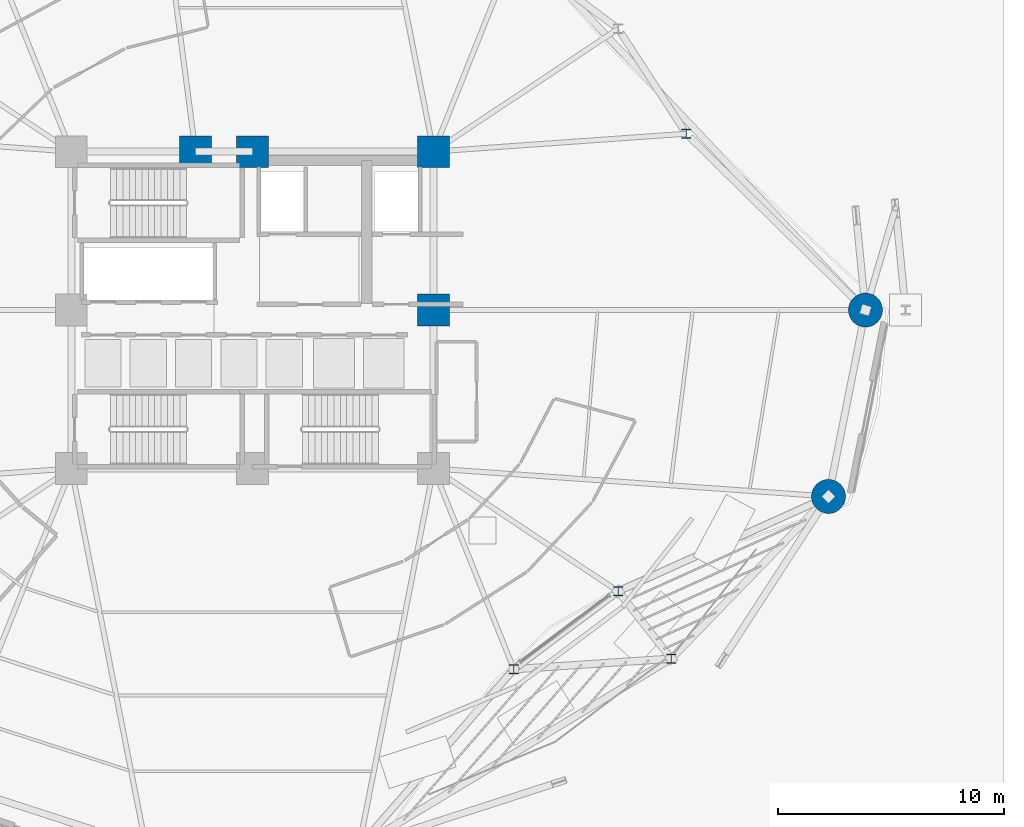
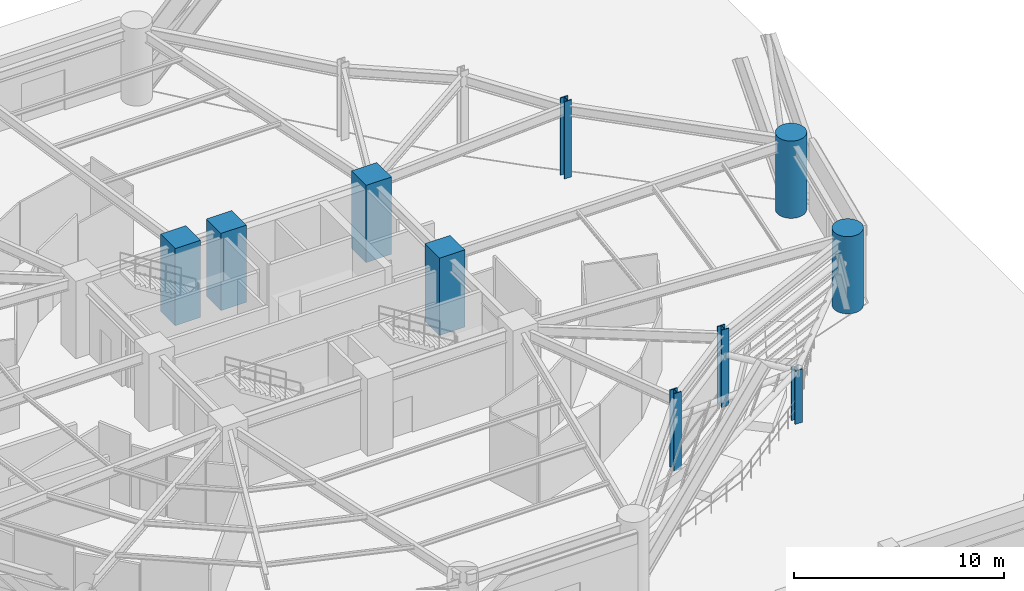
# One storey, part 2 of 40: 10 columns.
"""IFC4 building model written with IfcOpenShell, lengths in metres."""

from ifc_helpers import new_model, si_unit, direction, frame, origin, origin_2d, place, context, subcontext, project, spatial, rectangle, circle, i_section, extrude, material, material_profile, profile_set, type_object, element, save


model = new_model("IFC4")

# Units and contexts
model_context = context("Model", 3, precision=1e-05, world=origin(), true_north=direction((0.0, 1.0)))
body_context = subcontext(model_context, "Body", "Model", "MODEL_VIEW")
ifc_project = project(units=[si_unit("LENGTHUNIT", "METRE"), si_unit("AREAUNIT", "SQUARE_METRE"), si_unit("VOLUMEUNIT", "CUBIC_METRE"), si_unit("PLANEANGLEUNIT", "RADIAN"), si_unit("MASSUNIT", "GRAM", prefix="KILO")], contexts=[model_context])

# Site, building, storey
site_placement = place(None, origin())
site = spatial("IfcSite", under=ifc_project, at=site_placement, CompositionType="ELEMENT")
building_placement = place(site_placement, origin())
building = spatial("IfcBuilding", under=site, at=building_placement, Name="Kelanora Arch Commons", CompositionType="ELEMENT")
storey_placement = place(building_placement, origin())
storey = spatial("IfcBuildingStorey", under=building, at=storey_placement, Name="L00", CompositionType="ELEMENT", Elevation=0.0)

# Columns
ifc_material_1 = material(Name="Concrete C60/75", Category="concrete")
ifc_material_profile_1 = material_profile(ifc_material_1, circle(Radius=0.75, at=origin_2d()), Name="RCC1500")
ifc_profile_set_1 = profile_set([ifc_material_profile_1], Name="Concrete C60/75")
column_type_1 = type_object("IfcColumnType", Name="COL-PERIM-Z1", PredefinedType="COLUMN", material=ifc_profile_set_1)
for number, where, z_axis, x_axis, name in (
    (1, (101.080078125, 58.0, 0.0), (0.0, 0.0, 1.0), (1.0, 0.0, 0.0), "Perimeter Ring Column CP-00 L00"),
    (2, (99.447021484375, 49.76416015625, 0.0), (0.0, 0.0, 1.0), (1.0, 0.0, 0.0), "Perimeter Ring Column CP-34 L00"),
):
    element("IfcColumn", number, at=place(storey_placement, frame(where, z_axis=z_axis, x_axis=x_axis)), inside=storey, type_object=column_type_1, Name=name, PredefinedType="COLUMN", context=body_context, shape_type="SweptSolid", body=[
        extrude(circle(Radius=0.75, at=origin_2d()), origin(), (0.0, 0.0, 1.0), 4.5),
    ])
ifc_material_profile_2 = material_profile(ifc_material_1, rectangle(XDim=1.39990234375, YDim=1.39990234375, at=origin_2d()), Name="RC1400x1400")
ifc_profile_set_2 = profile_set([ifc_material_profile_2], Name="Concrete C60/75")
column_type_2 = type_object("IfcColumnType", Name="COL-PIL-LOW", PredefinedType="PILASTER", material=ifc_profile_set_2)
for number, where, z_axis, x_axis, name in (
    (3, (82.0, 58.0, 0.0), (0.0, 0.0, 1.0), (1.0, 0.0, 0.0), "Core Pilaster Column CP4 L00"),
    (4, (82.0, 65.0, 0.0), (0.0, 0.0, 1.0), (1.0, 0.0, 0.0), "Core Pilaster Column CP5 L00"),
    (5, (74.0, 65.0, 0.0), (0.0, 0.0, 1.0), (1.0, 0.0, 0.0), "Core Pilaster Column CP6 L00"),
    (6, (71.47998046875, 65.0, 0.0), (0.0, 0.0, 1.0), (1.0, 0.0, 0.0), "Core Pilaster Column CP9 L00"),
):
    element("IfcColumn", number, at=place(storey_placement, frame(where, z_axis=z_axis, x_axis=x_axis)), inside=storey, type_object=column_type_2, Name=name, PredefinedType="PILASTER", context=body_context, shape_type="SweptSolid", body=[
        extrude(rectangle(XDim=1.39990234375, YDim=1.39990234375, at=origin_2d()), origin(), (0.0, 0.0, 1.0), 4.5),
    ])
ifc_material_2 = material(Name="Steel S355", Category="steel")
ifc_material_profile_3 = material_profile(ifc_material_2, i_section(OverallWidth=0.406005859375, OverallDepth=0.416015625, WebThickness=0.029052734375, FlangeThickness=0.048095703125, FilletRadius=0.014892578125, at=origin_2d()), Name="HD400x382")
ifc_profile_set_3 = profile_set([ifc_material_profile_3], Name="Steel S355")
column_type_3 = type_object("IfcColumnType", Name="COL-PORCH", PredefinedType="COLUMN", material=ifc_profile_set_3)
for number, where, z_axis, x_axis, name in (
    (7, (93.166015625, 65.791015625, 0.0), (0.0, 0.0, 1.0), (1.0, 0.0, 0.0), "Recessed Arch Portal Column CAP-02 L00"),
    (8, (85.545654296875, 42.133544921875, 0.0), (0.0, 0.0, 1.0), (1.0, 0.0, 0.0), "Recessed Courtyard Column CCC-30 L00"),
    (9, (90.156494140625, 45.573974609375, 0.0), (0.0, 0.0, 1.0), (1.0, 0.0, 0.0), "Recessed Courtyard Column CCC-32 L00"),
):
    element("IfcColumn", number, at=place(storey_placement, frame(where, z_axis=z_axis, x_axis=x_axis)), inside=storey, type_object=column_type_3, Name=name, PredefinedType="COLUMN", context=body_context, shape_type="SweptSolid", body=[
        extrude(i_section(OverallWidth=0.406005859375, OverallDepth=0.416015625, WebThickness=0.029052734375, FlangeThickness=0.048095703125, FilletRadius=0.014892578125, at=origin_2d()), origin(), (0.0, 0.0, 1.0), 4.5),
    ])
column_placement = place(storey_placement, frame((92.5, 42.60009765625, 0.0), z_axis=(0.0, 0.0, 1.0), x_axis=(1.0, 0.0, 0.0)))
element("IfcColumn", 10, at=column_placement, inside=storey, type_object=column_type_3, Name="Courtyard Pergola Column SE L00", PredefinedType="COLUMN", context=body_context, shape_type="SweptSolid", body=[
    extrude(i_section(OverallWidth=0.406005859375, OverallDepth=0.416015625, WebThickness=0.029052734375, FlangeThickness=0.048095703125, FilletRadius=0.014892578125, at=origin_2d()), origin(), (0.0, 0.0, 1.0), 3.10009765625),
])

save(model, "model.ifc")
